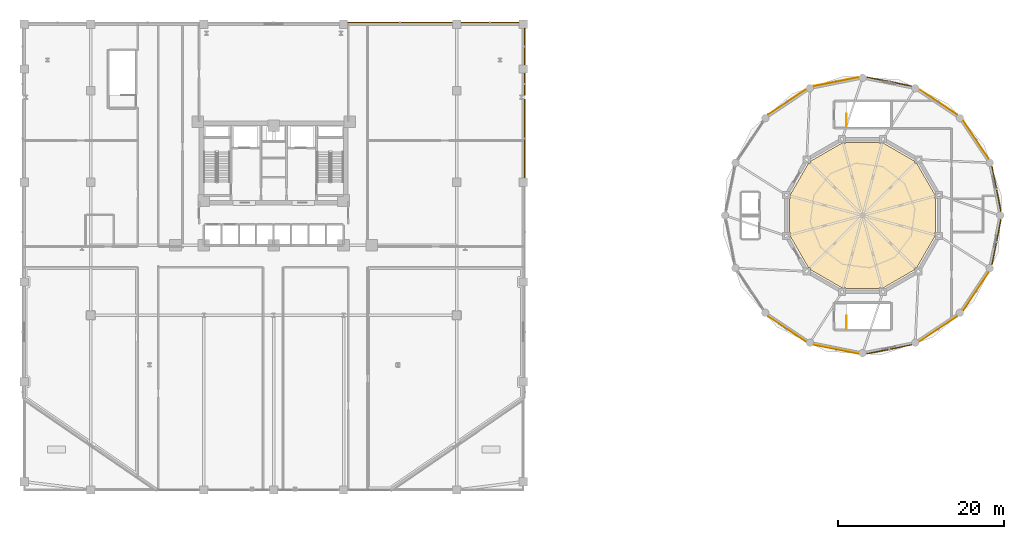
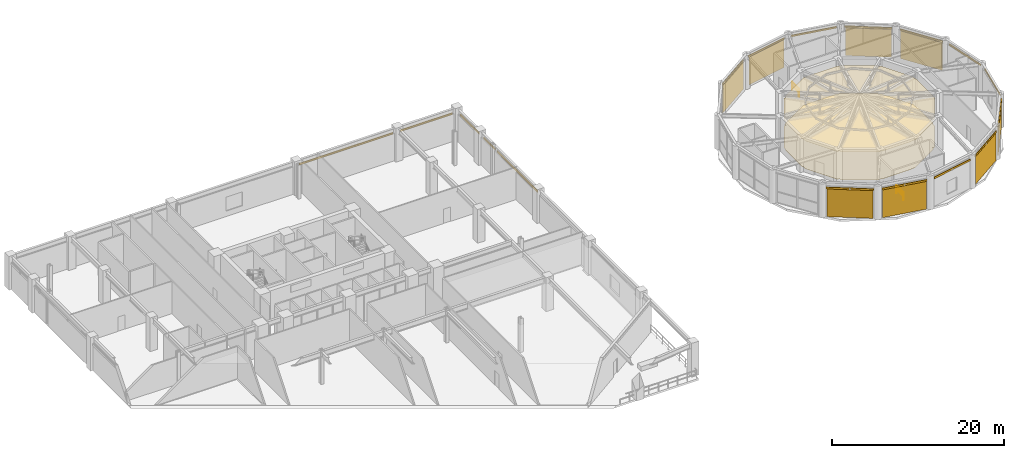
# One storey, part 26 of 26: 17 shading devices, 10 coverings, 2 railings.
"""IFC4 building model written with IfcOpenShell, lengths in metres."""

from ifc_helpers import new_model, si_unit, derived_unit, direction, frame, origin, origin_2d, place, context, subcontext, project, spatial, polyline, hollow_rectangle, circle, outline, extrude, source, transform, mapped, material, layer, layer_set, material_profile, profile_set, type_object, element, save


model = new_model("IFC4")

# Units and contexts
model_context = context("Model", 3, precision=1e-05, world=origin(), true_north=direction((0.0, 1.0)))
body_context = subcontext(model_context, "Body", "Model", "MODEL_VIEW")
ifc_project = project(units=[si_unit("LENGTHUNIT", "METRE"), si_unit("AREAUNIT", "SQUARE_METRE"), si_unit("VOLUMEUNIT", "CUBIC_METRE"), si_unit("PLANEANGLEUNIT", "RADIAN"), si_unit("MASSUNIT", "GRAM", prefix="KILO"), derived_unit("THERMALTRANSMITTANCEUNIT", [(si_unit("POWERUNIT", "WATT"), 1), (si_unit("LENGTHUNIT", "METRE"), -2), (si_unit("THERMODYNAMICTEMPERATUREUNIT", "KELVIN"), -1)])], contexts=[model_context])

# Site, building, storey
site_placement = place(None, origin())
site = spatial("IfcSite", under=ifc_project, at=site_placement, CompositionType="ELEMENT")
building_placement = place(site_placement, origin())
building = spatial("IfcBuilding", under=site, at=building_placement, Name="Korsvarv Bourse and Concert Hall", CompositionType="ELEMENT")
storey_placement = place(building_placement, frame((0.0, 0.0, 19.199951171875)))
storey = spatial("IfcBuildingStorey", under=building, at=storey_placement, Name="L04", CompositionType="ELEMENT", Elevation=19.199951171875)

# Coverings
ifc_material_1 = material(Name="Perforated mineral-wool and birch acoustic baffle ceiling", Category="wood")
ifc_layer_1 = layer(ifc_material_1, 0.02490234375)
ifc_layer_set_1 = layer_set([ifc_layer_1], Name="Perforated mineral-wool and birch acoustic baffle ceiling")
covering_type_1 = type_object("IfcCoveringType", Name="COV-CEIL-1", PredefinedType="CEILING", material=ifc_layer_set_1)
covering_1_placement = place(storey_placement, frame((0.0, 0.0, 3.9599609375)))
element("IfcCovering", 1, at=covering_1_placement, inside=storey, type_object=covering_type_1, Name="L04 acoustic baffle ceiling 3", PredefinedType="CEILING", context=body_context, shape_type="SweptSolid", body=[
    extrude(outline(polyline([(115.576416015625, 34.01611328125), (115.55126953125, 34.01611328125), (115.527587890625, 34.01025390625), (115.509765625, 33.993896484375), (115.50146484375, 33.97119140625), (115.501220703125, 33.518310546875), (113.329833984375, 29.757568359375), (113.092529296875, 29.757568359375), (113.06884765625, 29.751708984375), (113.05078125, 29.7353515625), (113.042724609375, 29.71240234375), (113.04248046875, 29.47021484375), (109.281494140625, 27.298583984375), (108.833740234375, 27.298583984375), (108.810302734375, 27.292724609375), (108.792236328125, 27.276611328125), (108.783935546875, 27.253662109375), (108.78369140625, 27.2236328125), (104.816162109375, 27.2236328125), (104.816162109375, 27.248779296875), (104.810302734375, 27.272216796875), (104.7939453125, 27.290283203125), (104.77099609375, 27.298583984375), (104.318359375, 27.298583984375), (100.5576171875, 29.47021484375), (100.5576171875, 29.70751953125), (100.551513671875, 29.731201171875), (100.535400390625, 29.7490234375), (100.512451171875, 29.75732421875), (100.270263671875, 29.757568359375), (98.0986328125, 33.518310546875), (98.0986328125, 33.96630859375), (98.0927734375, 33.98974609375), (98.076416015625, 34.0078125), (98.0537109375, 34.01611328125), (98.023681640625, 34.01611328125), (98.023681640625, 37.98388671875), (98.048583984375, 37.98388671875), (98.072265625, 37.98974609375), (98.09033203125, 38.006103515625), (98.098388671875, 38.02880859375), (98.0986328125, 38.481689453125), (100.270263671875, 42.242431640625), (100.507568359375, 42.242431640625), (100.531005859375, 42.248291015625), (100.549072265625, 42.2646484375), (100.557373046875, 42.28759765625), (100.5576171875, 42.52978515625), (104.318359375, 44.701416015625), (104.76611328125, 44.701416015625), (104.789794921875, 44.707275390625), (104.807861328125, 44.723388671875), (104.81591796875, 44.746337890625), (104.816162109375, 44.7763671875), (108.78369140625, 44.7763671875), (108.78369140625, 44.751220703125), (108.789794921875, 44.727783203125), (108.805908203125, 44.709716796875), (108.828857421875, 44.701416015625), (109.281494140625, 44.701416015625), (113.04248046875, 42.52978515625), (113.04248046875, 42.29248046875), (113.04833984375, 42.268798828125), (113.064697265625, 42.2509765625), (113.087646484375, 42.24267578125), (113.329833984375, 42.242431640625), (115.501220703125, 38.481689453125), (115.501220703125, 38.03369140625), (115.507080078125, 38.01025390625), (115.5234375, 37.9921875), (115.54638671875, 37.98388671875), (115.576416015625, 37.98388671875), (115.576416015625, 34.01611328125)])), origin(), (0.0, 0.0, 1.0), 0.025146484375),
])
ifc_material_2 = material(Name="Warm iron-oxide extruded terracotta rainscreen tile", Category="ceramic")
ifc_layer_2 = layer(ifc_material_2, 0.044921875)
ifc_layer_set_2 = layer_set([ifc_layer_2], Name="Warm iron-oxide extruded terracotta rainscreen tile")
covering_type_2 = type_object("IfcCoveringType", Name="COV-CLD-TC", PredefinedType="CLADDING", material=ifc_layer_set_2)
covering_2_placement = place(storey_placement, origin())
element("IfcCovering", 2, at=covering_2_placement, inside=storey, type_object=covering_type_2, Name="L04 fluted terracotta cladding panel EW-L04-CHD02", PredefinedType="CLADDING", context=body_context, shape_type="SweptSolid", body=[
    extrude(outline(polyline([(121.9052734375, 42.853271484375), (118.912109375, 47.332763671875), (118.949462890625, 47.35791015625), (121.942626953125, 42.878173828125), (121.9052734375, 42.853271484375)])), origin(), (0.0, 0.0, 1.0), 3.929931640625),
])
covering_3_placement = place(storey_placement, origin())
element("IfcCovering", 3, at=covering_3_placement, inside=storey, type_object=covering_type_2, Name="L04 fluted terracotta cladding panel EW-L04-CHD03", PredefinedType="CLADDING", context=body_context, shape_type="SweptSolid", body=[
    extrude(outline(polyline([(118.1328125, 48.112060546875), (113.6533203125, 51.105224609375), (113.67822265625, 51.142578125), (118.15771484375, 48.1494140625), (118.1328125, 48.112060546875)])), origin(), (0.0, 0.0, 1.0), 3.929931640625),
])
covering_4_placement = place(storey_placement, origin())
element("IfcCovering", 4, at=covering_4_placement, inside=storey, type_object=covering_type_2, Name="L04 fluted terracotta cladding panel EW-L04-CHD05", PredefinedType="CLADDING", context=body_context, shape_type="SweptSolid", body=[
    extrude(outline(polyline([(106.248779296875, 52.577880859375), (100.965087890625, 51.527099609375), (100.956298828125, 51.571044921875), (106.239990234375, 52.6220703125), (106.248779296875, 52.577880859375)])), origin(), (0.0, 0.0, 1.0), 3.929931640625),
])
covering_5_placement = place(storey_placement, origin())
element("IfcCovering", 5, at=covering_5_placement, inside=storey, type_object=covering_type_2, Name="L04 fluted terracotta cladding panel EW-L04-CHD06", PredefinedType="CLADDING", context=body_context, shape_type="SweptSolid", body=[
    extrude(outline(polyline([(99.94677734375, 51.105224609375), (95.46728515625, 48.112060546875), (95.442138671875, 48.1494140625), (99.921875, 51.142578125), (99.94677734375, 51.105224609375)])), origin(), (0.0, 0.0, 1.0), 3.929931640625),
])
covering_6_placement = place(storey_placement, origin())
element("IfcCovering", 6, at=covering_6_placement, inside=storey, type_object=covering_type_2, Name="L04 fluted terracotta cladding panel EW-L04-CHD11", PredefinedType="CLADDING", context=body_context, shape_type="SweptSolid", body=[
    extrude(outline(polyline([(95.46728515625, 23.887939453125), (99.94677734375, 20.894775390625), (99.921875, 20.857421875), (95.442138671875, 23.8505859375), (95.46728515625, 23.887939453125)])), origin(), (0.0, 0.0, 1.0), 3.929931640625),
])
covering_7_placement = place(storey_placement, origin())
element("IfcCovering", 7, at=covering_7_placement, inside=storey, type_object=covering_type_2, Name="L04 fluted terracotta cladding panel EW-L04-CHD12", PredefinedType="CLADDING", context=body_context, shape_type="SweptSolid", body=[
    extrude(outline(polyline([(100.965087890625, 20.472900390625), (106.248779296875, 19.422119140625), (106.239990234375, 19.3779296875), (100.956298828125, 20.428955078125), (100.965087890625, 20.472900390625)])), origin(), (0.0, 0.0, 1.0), 3.929931640625),
])
covering_8_placement = place(storey_placement, origin())
element("IfcCovering", 8, at=covering_8_placement, inside=storey, type_object=covering_type_2, Name="L04 fluted terracotta cladding panel EW-L04-CHD14", PredefinedType="CLADDING", context=body_context, shape_type="SweptSolid", body=[
    extrude(outline(polyline([(113.6533203125, 20.894775390625), (118.1328125, 23.887939453125), (118.15771484375, 23.8505859375), (113.67822265625, 20.857421875), (113.6533203125, 20.894775390625)])), origin(), (0.0, 0.0, 1.0), 3.929931640625),
])
covering_9_placement = place(storey_placement, origin())
element("IfcCovering", 9, at=covering_9_placement, inside=storey, type_object=covering_type_2, Name="L04 fluted terracotta cladding panel EW-L04-CHD15", PredefinedType="CLADDING", context=body_context, shape_type="SweptSolid", body=[
    extrude(outline(polyline([(118.912109375, 24.667236328125), (121.9052734375, 29.146728515625), (121.942626953125, 29.121826171875), (118.949462890625, 24.64208984375), (118.912109375, 24.667236328125)])), origin(), (0.0, 0.0, 1.0), 3.929931640625),
])
ifc_material_3 = material(Name="Calcium-sulphate raised access trading floor with Nordic oak top", Category="wood")
ifc_layer_3 = layer(ifc_material_3, 0.0400390625)
ifc_layer_set_3 = layer_set([ifc_layer_3], Name="Calcium-sulphate raised access trading floor with Nordic oak top")
covering_type_3 = type_object("IfcCoveringType", Name="COV-FLOR-1", PredefinedType="FLOORING", material=ifc_layer_set_3)
covering_10_placement = place(storey_placement, origin())
element("IfcCovering", 10, at=covering_10_placement, inside=storey, type_object=covering_type_3, Name="L04 raised access oak floor finish 3", PredefinedType="FLOORING", context=body_context, shape_type="SweptSolid", body=[
    extrude(outline(polyline([(115.576416015625, 34.01611328125), (115.55126953125, 34.01611328125), (115.527587890625, 34.01025390625), (115.509765625, 33.993896484375), (115.50146484375, 33.97119140625), (115.501220703125, 33.518310546875), (113.329833984375, 29.757568359375), (113.092529296875, 29.757568359375), (113.06884765625, 29.751708984375), (113.05078125, 29.7353515625), (113.042724609375, 29.71240234375), (113.04248046875, 29.47021484375), (109.281494140625, 27.298583984375), (108.833740234375, 27.298583984375), (108.810302734375, 27.292724609375), (108.792236328125, 27.276611328125), (108.783935546875, 27.253662109375), (108.78369140625, 27.2236328125), (104.816162109375, 27.2236328125), (104.816162109375, 27.248779296875), (104.810302734375, 27.272216796875), (104.7939453125, 27.290283203125), (104.77099609375, 27.298583984375), (104.318359375, 27.298583984375), (100.5576171875, 29.47021484375), (100.5576171875, 29.70751953125), (100.551513671875, 29.731201171875), (100.535400390625, 29.7490234375), (100.512451171875, 29.75732421875), (100.270263671875, 29.757568359375), (98.0986328125, 33.518310546875), (98.0986328125, 33.96630859375), (98.0927734375, 33.98974609375), (98.076416015625, 34.0078125), (98.0537109375, 34.01611328125), (98.023681640625, 34.01611328125), (98.023681640625, 37.98388671875), (98.048583984375, 37.98388671875), (98.072265625, 37.98974609375), (98.09033203125, 38.006103515625), (98.098388671875, 38.02880859375), (98.0986328125, 38.481689453125), (100.270263671875, 42.242431640625), (100.507568359375, 42.242431640625), (100.531005859375, 42.248291015625), (100.549072265625, 42.2646484375), (100.557373046875, 42.28759765625), (100.5576171875, 42.52978515625), (104.318359375, 44.701416015625), (104.76611328125, 44.701416015625), (104.789794921875, 44.707275390625), (104.807861328125, 44.723388671875), (104.81591796875, 44.746337890625), (104.816162109375, 44.7763671875), (108.78369140625, 44.7763671875), (108.78369140625, 44.751220703125), (108.789794921875, 44.727783203125), (108.805908203125, 44.709716796875), (108.828857421875, 44.701416015625), (109.281494140625, 44.701416015625), (113.04248046875, 42.52978515625), (113.04248046875, 42.29248046875), (113.04833984375, 42.268798828125), (113.064697265625, 42.2509765625), (113.087646484375, 42.24267578125), (113.329833984375, 42.242431640625), (115.501220703125, 38.481689453125), (115.501220703125, 38.03369140625), (115.507080078125, 38.01025390625), (115.5234375, 37.9921875), (115.54638671875, 37.98388671875), (115.576416015625, 37.98388671875), (115.576416015625, 34.01611328125)])), origin(), (0.0, 0.0, 1.0), 0.0400390625),
])

# Railings
ifc_material_4 = material(Name="Painted Steel S355 stair well guardrail", Category="steel")
railing_type = type_object("IfcRailingType", Name="RL-ST-GRD", PredefinedType="GUARDRAIL", material=ifc_material_4)
for number, where, name in (
    (11, (104.85009765625, 46.60009765625, 0.0), "L04 ST-CH1 top well guard 1"),
    (12, (104.85009765625, 22.340087890625, 0.0), "L04 ST-CH2 top well guard 1"),
):
    element("IfcRailing", number, at=place(storey_placement, frame(where)), inside=storey, type_object=railing_type, Name=name, PredefinedType="GUARDRAIL", context=body_context, shape_type="SweptSolid", body=[
        extrude(circle(Radius=0.02392578125, at=origin_2d()), frame((0.0, 0.0, 1.076171875), z_axis=(0.0, 1.0, 0.0), x_axis=(-1.0, 0.0, 0.0)), (0.0, 0.0, 1.0), 1.60986328125),
        extrude(circle(Radius=0.02392578125, at=origin_2d()), frame((0.0, 0.0, 0.550048828125), z_axis=(0.0, 1.0, 0.0), x_axis=(-1.0, 0.0, 0.0)), (0.0, 0.0, 1.0), 1.60986328125),
        extrude(circle(Radius=0.02099609375, at=origin_2d()), origin(), (0.0, 0.0, 1.0), 1.052001953125),
        extrude(circle(Radius=0.02099609375, at=origin_2d()), frame((0.0, 1.60986328125, 0.0)), (0.0, 0.0, 1.0), 1.052001953125),
    ])

# Shading devices
ifc_material_5 = material(Name="Glazed extruded architectural terracotta", Category="ceramic")
ifc_material_profile = material_profile(ifc_material_5, hollow_rectangle(XDim=0.090087890625, YDim=0.260009765625, WallThickness=0.011962890625, at=origin_2d()), Name="TC-BAG 90x260")
ifc_profile_set = profile_set([ifc_material_profile], Name="Glazed extruded architectural terracotta")
shading_device_type = type_object("IfcShadingDeviceType", Name="SHD-BAG-1", PredefinedType="USERDEFINED", material=ifc_profile_set)
shared_shape_1 = source(origin(), body_context, "Body", "SweptSolid", [
    extrude(hollow_rectangle(XDim=0.090087890625, YDim=0.260009765625, WallThickness=0.011962890625, at=origin_2d()), origin(), (0.0, 0.0, 1.0), 12.590087890625),
])
shading_device_1_placement = place(storey_placement, frame((57.4951171875, 59.195068359375, 3.719970703125), z_axis=(-1.0, 0.0, 0.0), x_axis=(0.0, -1.0, 0.0)))
element("IfcShadingDevice", 13, at=shading_device_1_placement, inside=storey, type_object=shading_device_type, Name="L04 terracotta baguette sunshade EW-L04-G5-2", ObjectType="BAGUETTE", PredefinedType="USERDEFINED", context=body_context, shape_type="MappedRepresentation", body=[
    mapped(shared_shape_1, transform((0.0, 0.0, 0.0), scale=1.0)),
])
shared_shape_2 = source(origin(), body_context, "Body", "SweptSolid", [
    extrude(hollow_rectangle(XDim=0.090087890625, YDim=0.260009765625, WallThickness=0.011962890625, at=origin_2d()), origin(), (0.0, 0.0, 1.0), 6.990234375),
])
shading_device_2_placement = place(storey_placement, frame((65.4951171875, 59.195068359375, 3.719970703125), z_axis=(-1.0, 0.0, 0.0), x_axis=(0.0, -1.0, 0.0)))
element("IfcShadingDevice", 14, at=shading_device_2_placement, inside=storey, type_object=shading_device_type, Name="L04 terracotta baguette sunshade EW-L04-G5-1", ObjectType="BAGUETTE", PredefinedType="USERDEFINED", context=body_context, shape_type="MappedRepresentation", body=[
    mapped(shared_shape_2, transform((0.0, 0.0, 0.0), scale=1.0)),
])
shared_shape_3 = source(origin(), body_context, "Body", "SweptSolid", [
    extrude(hollow_rectangle(XDim=0.090087890625, YDim=0.260009765625, WallThickness=0.011962890625, at=origin_2d()), origin(), (0.0, 0.0, 1.0), 9.47021484375),
])
shading_device_3_placement = place(storey_placement, frame((66.195068359375, 40.5048828125, 3.719970703125), z_axis=(0.0, 1.0, 0.0), x_axis=(-1.0, 0.0, 0.0)))
element("IfcShadingDevice", 15, at=shading_device_3_placement, inside=storey, type_object=shading_device_type, Name="L04 terracotta baguette sunshade EW-L04-G4-4", ObjectType="BAGUETTE", PredefinedType="USERDEFINED", context=body_context, shape_type="MappedRepresentation", body=[
    mapped(shared_shape_3, transform((0.0, 0.0, 0.0), scale=1.0)),
])
shared_shape_4 = source(origin(), body_context, "Body", "SweptSolid", [
    extrude(hollow_rectangle(XDim=0.090087890625, YDim=0.260009765625, WallThickness=0.011962890625, at=origin_2d()), origin(), (0.0, 0.0, 1.0), 2.6357421875),
])
shading_device_4_placement = place(storey_placement, frame((66.195068359375, 50.459228515625, 3.719970703125), z_axis=(0.0, 1.0, 0.0), x_axis=(-1.0, 0.0, 0.0)))
element("IfcShadingDevice", 16, at=shading_device_4_placement, inside=storey, type_object=shading_device_type, Name="L04 terracotta baguette sunshade EW-L04-G4-5", ObjectType="BAGUETTE", PredefinedType="USERDEFINED", context=body_context, shape_type="MappedRepresentation", body=[
    mapped(shared_shape_4, transform((0.0, 0.0, 0.0), scale=1.0)),
])
shared_shape_5 = source(origin(), body_context, "Body", "SweptSolid", [
    extrude(hollow_rectangle(XDim=0.090087890625, YDim=0.260009765625, WallThickness=0.011962890625, at=origin_2d()), origin(), (0.0, 0.0, 1.0), 4.39013671875),
])
shading_device_5_placement = place(storey_placement, frame((66.195068359375, 54.10498046875, 3.719970703125), z_axis=(0.0, 1.0, 0.0), x_axis=(-1.0, 0.0, 0.0)))
element("IfcShadingDevice", 17, at=shading_device_5_placement, inside=storey, type_object=shading_device_type, Name="L04 terracotta baguette sunshade EW-L04-G4-6", ObjectType="BAGUETTE", PredefinedType="USERDEFINED", context=body_context, shape_type="MappedRepresentation", body=[
    mapped(shared_shape_5, transform((0.0, 0.0, 0.0), scale=1.0)),
])
shared_shape_6 = source(origin(), body_context, "Body", "SweptSolid", [
    extrude(hollow_rectangle(XDim=0.090087890625, YDim=0.260009765625, WallThickness=0.011962890625, at=origin_2d()), origin(), (0.0, 0.0, 1.0), 5.54736328125),
])
for number, where, z_axis, x_axis, name in (
    (18, (123.432861328125, 36.48046875, 4.090087890625), (-0.195100393406, 0.980783277025, 0.0), (-0.980783277025, -0.195100393406, 0.0), "L04 terracotta baguette sunshade EW-L04-CHD01"),
    (19, (121.98291015625, 42.808837890625, 4.090087890625), (-0.555573305798, 0.831467559129, 0.0), (-0.831467559129, -0.555573305798, 0.0), "L04 terracotta baguette sunshade EW-L04-CHD02"),
    (20, (118.221435546875, 48.100830078125, 4.090087890625), (-0.831467559129, 0.555573305798, 0.0), (-0.555573305798, -0.831467559129, 0.0), "L04 terracotta baguette sunshade EW-L04-CHD03"),
    (21, (112.72119140625, 51.550537109375, 4.090087890625), (-0.980783277025, 0.195100393406, 0.0), (-0.195100393406, -0.980783277025, 0.0), "L04 terracotta baguette sunshade EW-L04-CHD04"),
    (22, (106.319580078125, 52.6328125, 4.090087890625), (-0.980783277025, -0.195100393406, 0.0), (0.195100393406, -0.980783277025, 0.0), "L04 terracotta baguette sunshade EW-L04-CHD05"),
    (23, (100.87890625, 20.449462890625, 4.090087890625), (0.980783277025, -0.195100393406, 0.0), (0.195100393406, 0.980783277025, 0.0), "L04 terracotta baguette sunshade EW-L04-CHD12"),
    (24, (107.280517578125, 19.3671875, 4.090087890625), (0.980783277025, 0.195100393406, 0.0), (-0.195100393406, 0.980783277025, 0.0), "L04 terracotta baguette sunshade EW-L04-CHD13"),
    (25, (113.60888671875, 20.817138671875, 4.090087890625), (0.831467559129, 0.555573305798, 0.0), (-0.555573305798, 0.831467559129, 0.0), "L04 terracotta baguette sunshade EW-L04-CHD14"),
    (26, (118.90087890625, 24.57861328125, 4.090087890625), (0.555573305798, 0.831467559129, 0.0), (-0.831467559129, 0.555573305798, 0.0), "L04 terracotta baguette sunshade EW-L04-CHD15"),
    (27, (122.3505859375, 30.078857421875, 4.090087890625), (0.195100393406, 0.980783277025, 0.0), (-0.980783277025, 0.195100393406, 0.0), "L04 terracotta baguette sunshade EW-L04-CHD16"),
):
    element("IfcShadingDevice", number, at=place(storey_placement, frame(where, z_axis=z_axis, x_axis=x_axis)), inside=storey, type_object=shading_device_type, Name=name, ObjectType="BAGUETTE", PredefinedType="USERDEFINED", context=body_context, shape_type="MappedRepresentation", body=[
        mapped(shared_shape_6, transform((0.0, 0.0, 0.0), scale=1.0)),
    ])
shared_shape_7 = source(origin(), body_context, "Body", "SweptSolid", [
    extrude(hollow_rectangle(XDim=0.090087890625, YDim=0.260009765625, WallThickness=0.011962890625, at=origin_2d()), origin(), (0.0, 0.0, 1.0), 5.547607421875),
])
for number, where, z_axis, x_axis, name in (
    (28, (99.9912109375, 51.182861328125, 4.090087890625), (-0.831481142367, -0.555552976672, 0.0), (0.555552976672, -0.831481142367, 0.0), "L04 terracotta baguette sunshade EW-L04-CHD06"),
    (29, (95.37841796875, 23.899169921875, 4.090087890625), (0.831481142367, -0.555552976672, 0.0), (0.555552976672, 0.831481142367, 0.0), "L04 terracotta baguette sunshade EW-L04-CHD11"),
):
    element("IfcShadingDevice", number, at=place(storey_placement, frame(where, z_axis=z_axis, x_axis=x_axis)), inside=storey, type_object=shading_device_type, Name=name, ObjectType="BAGUETTE", PredefinedType="USERDEFINED", context=body_context, shape_type="MappedRepresentation", body=[
        mapped(shared_shape_7, transform((0.0, 0.0, 0.0), scale=1.0)),
    ])

save(model, "model.ifc")
